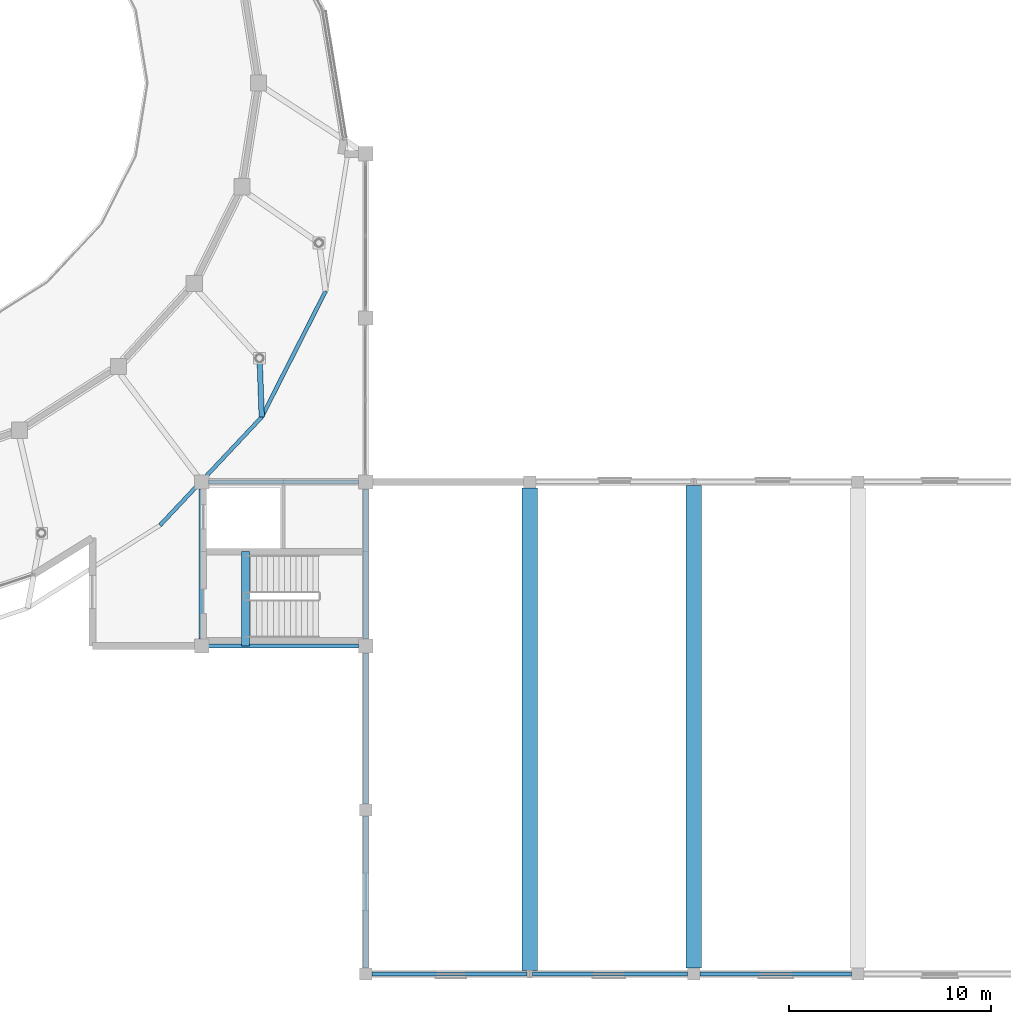
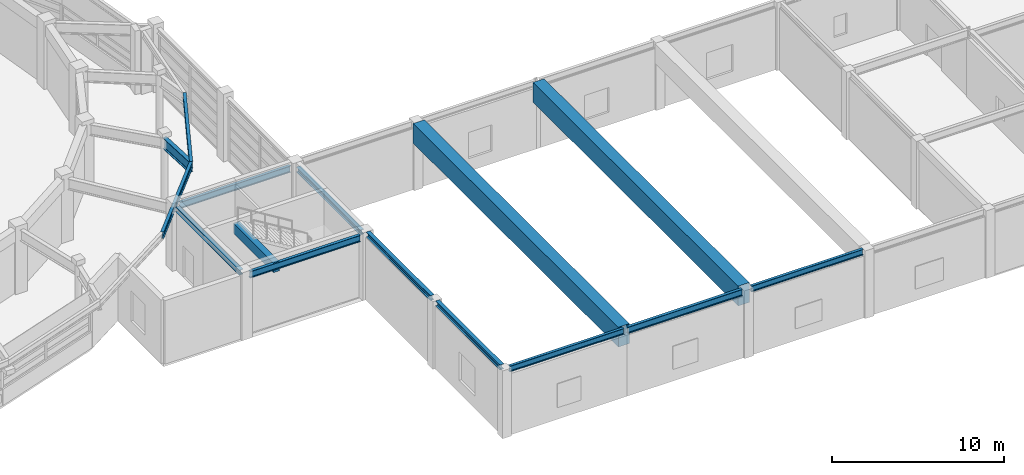
# One storey, part 19 of 58: 15 beams.
"""IFC4 building model written with IfcOpenShell, lengths in metres."""

from ifc_helpers import new_model, si_unit, direction, frame, origin, origin_2d, place, context, subcontext, project, spatial, rectangle, i_section, extrude, material, material_profile, profile_set, type_object, element, save


model = new_model("IFC4")

# Units and contexts
model_context = context("Model", 3, precision=1e-05, world=origin(), true_north=direction((0.0, 1.0)))
body_context = subcontext(model_context, "Body", "Model", "MODEL_VIEW")
ifc_project = project(units=[si_unit("LENGTHUNIT", "METRE"), si_unit("AREAUNIT", "SQUARE_METRE"), si_unit("VOLUMEUNIT", "CUBIC_METRE"), si_unit("PLANEANGLEUNIT", "RADIAN"), si_unit("MASSUNIT", "GRAM", prefix="KILO")], contexts=[model_context])

# Site, building, storey
site_placement = place(None, origin())
site = spatial("IfcSite", under=ifc_project, at=site_placement, CompositionType="ELEMENT")
building_placement = place(site_placement, origin())
building = spatial("IfcBuilding", under=site, at=building_placement, Name="Parian Resonance Hall", CompositionType="ELEMENT")
storey_placement = place(building_placement, frame((0.0, 0.0, 10.199951171875)))
storey = spatial("IfcBuildingStorey", under=building, at=storey_placement, Name="L02", CompositionType="ELEMENT", Elevation=10.199951171875)

# Beams
ifc_material_1 = material(Name="Concrete C40/50", Category="concrete")
ifc_material_profile_1 = material_profile(ifc_material_1, rectangle(XDim=0.39990234375, YDim=0.699951171875, at=origin_2d()), Name="RC-BM-400x700")
ifc_profile_set_1 = profile_set([ifc_material_profile_1], Name="Concrete C40/50")
beam_type_1 = type_object("IfcBeamType", Name="BM-RC400x700", PredefinedType="BEAM", material=ifc_profile_set_1)
beam_1_placement = place(storey_placement, frame((66.9599609375, 16.199951171875, 4.150146484375), z_axis=(0.0, 1.0, 0.0), x_axis=(-1.0, 0.0, 0.0)))
element("IfcBeam", 1, at=beam_1_placement, inside=storey, type_object=beam_type_1, Name="Core K3 stair arrival trimmer beam L02", PredefinedType="BEAM", context=body_context, shape_type="SweptSolid", body=[
    extrude(rectangle(XDim=0.39990234375, YDim=0.699951171875, at=origin_2d()), origin(), (0.0, 0.0, 1.0), 4.650146484375),
])
ifc_material_2 = material(Name="Concrete C40/50", Category="concrete")
ifc_material_profile_2 = material_profile(ifc_material_2, rectangle(XDim=0.75, YDim=1.39990234375, at=origin_2d()), Name="RC-TG-750x1400")
ifc_profile_set_2 = profile_set([ifc_material_profile_2], Name="Concrete C40/50")
beam_type_2 = type_object("IfcBeamType", Name="BM-RCTG750x1400", PredefinedType="USERDEFINED", material=ifc_profile_set_2)
for number, where, z_axis, x_axis, name in (
    (2, (81.0, 0.178466796875, 4.10009765625), (0.0, 1.0, 0.0), (-1.0, 0.0, 0.0), "Orchestra Rehearsal Room clear-span roof transfer girder 1"),
    (3, (89.10009765625, 0.300048828125, 4.10009765625), (0.0, 1.0, 0.0), (-1.0, 0.0, 0.0), "Orchestra Rehearsal Room clear-span roof transfer girder 2"),
):
    element("IfcBeam", number, at=place(storey_placement, frame(where, z_axis=z_axis, x_axis=x_axis)), inside=storey, type_object=beam_type_2, Name=name, ObjectType="GIRDER", PredefinedType="USERDEFINED", context=body_context, shape_type="SweptSolid", body=[
        extrude(rectangle(XDim=0.75, YDim=1.39990234375, at=origin_2d()), origin(), (0.0, 0.0, 1.0), 23.821533203125),
    ])
ifc_material_3 = material(Name="Steel S355", Category="steel")
ifc_material_profile_3 = material_profile(ifc_material_3, i_section(OverallWidth=0.2548828125, OverallDepth=0.35693359375, WebThickness=0.010498046875, FlangeThickness=0.018310546875, FilletRadius=0.01513671875, at=origin_2d()), Name="W360x101")
ifc_profile_set_3 = profile_set([ifc_material_profile_3], Name="Steel S355")
beam_type_3 = type_object("IfcBeamType", Name="BM-W360x101", PredefinedType="SPANDREL", material=ifc_profile_set_3)
beam_2_placement = place(storey_placement, frame((64.800048828125, 16.550048828125, 4.321533203125), z_axis=(0.0, 1.0, 0.0), x_axis=(-1.0, 0.0, 0.0)))
element("IfcBeam", 4, at=beam_2_placement, inside=storey, type_object=beam_type_3, Name="GY-L02-0757", PredefinedType="SPANDREL", context=body_context, shape_type="SweptSolid", body=[
    extrude(i_section(OverallWidth=0.2548828125, OverallDepth=0.35693359375, WebThickness=0.010498046875, FlangeThickness=0.018310546875, FilletRadius=0.01513671875, at=origin_2d()), origin(), (0.0, 0.0, 1.0), 7.39990234375),
])
beam_3_placement = place(storey_placement, frame((72.89990234375, 0.300048828125, 4.62158203125), z_axis=(0.0, 1.0, 0.0), x_axis=(-1.0, 0.0, 0.0)))
element("IfcBeam", 5, at=beam_3_placement, inside=storey, type_object=beam_type_3, Name="GY-L02-0760", PredefinedType="SPANDREL", context=body_context, shape_type="SweptSolid", body=[
    extrude(i_section(OverallWidth=0.2548828125, OverallDepth=0.35693359375, WebThickness=0.010498046875, FlangeThickness=0.018310546875, FilletRadius=0.01513671875, at=origin_2d()), origin(), (0.0, 0.0, 1.0), 7.5),
])
beam_4_placement = place(storey_placement, frame((72.89990234375, 8.39990234375, 4.62158203125), z_axis=(0.0, 1.0, 0.0), x_axis=(-1.0, 0.0, 0.0)))
element("IfcBeam", 6, at=beam_4_placement, inside=storey, type_object=beam_type_3, Name="GY-L02-0761", PredefinedType="SPANDREL", context=body_context, shape_type="SweptSolid", body=[
    extrude(i_section(OverallWidth=0.2548828125, OverallDepth=0.35693359375, WebThickness=0.010498046875, FlangeThickness=0.018310546875, FilletRadius=0.01513671875, at=origin_2d()), origin(), (0.0, 0.0, 1.0), 7.4501953125),
])
beam_5_placement = place(storey_placement, frame((72.89990234375, 16.550048828125, 4.321533203125), z_axis=(0.0, 1.0, 0.0), x_axis=(-1.0, 0.0, 0.0)))
element("IfcBeam", 7, at=beam_5_placement, inside=storey, type_object=beam_type_3, Name="GY-L02-0762", PredefinedType="SPANDREL", context=body_context, shape_type="SweptSolid", body=[
    extrude(i_section(OverallWidth=0.2548828125, OverallDepth=0.35693359375, WebThickness=0.010498046875, FlangeThickness=0.018310546875, FilletRadius=0.01513671875, at=origin_2d()), origin(), (0.0, 0.0, 1.0), 7.39990234375),
])
ifc_material_4 = material(Name="Steel S355", Category="steel")
ifc_material_profile_4 = material_profile(ifc_material_4, i_section(OverallWidth=0.180908203125, OverallDepth=0.4169921875, WebThickness=0.010986328125, FlangeThickness=0.018310546875, FilletRadius=0.01513671875, at=origin_2d()), Name="W410x85")
ifc_profile_set_4 = profile_set([ifc_material_profile_4], Name="Steel S355")
beam_type_4 = type_object("IfcBeamType", Name="BM-W410x85", PredefinedType="SPANDREL", material=ifc_profile_set_4)
beam_6_placement = place(storey_placement, frame((73.199951171875, 0.0, 4.591552734375), z_axis=(1.0, 0.0, 0.0), x_axis=(0.0, 1.0, 0.0)))
element("IfcBeam", 8, at=beam_6_placement, inside=storey, type_object=beam_type_4, Name="GX-L02-0685", PredefinedType="SPANDREL", context=body_context, shape_type="SweptSolid", body=[
    extrude(i_section(OverallWidth=0.180908203125, OverallDepth=0.4169921875, WebThickness=0.010986328125, FlangeThickness=0.018310546875, FilletRadius=0.01513671875, at=origin_2d()), origin(), (0.0, 0.0, 1.0), 7.672607421875),
])
beam_7_placement = place(storey_placement, frame((89.39990234375, 0.0, 4.591552734375), z_axis=(1.0, 0.0, 0.0), x_axis=(0.0, 1.0, 0.0)))
element("IfcBeam", 9, at=beam_7_placement, inside=storey, type_object=beam_type_4, Name="GX-L02-0695", PredefinedType="SPANDREL", context=body_context, shape_type="SweptSolid", body=[
    extrude(i_section(OverallWidth=0.180908203125, OverallDepth=0.4169921875, WebThickness=0.010986328125, FlangeThickness=0.018310546875, FilletRadius=0.01513671875, at=origin_2d()), origin(), (0.0, 0.0, 1.0), 7.5),
])
ifc_material_5 = material(Name="Steel S355", Category="steel")
ifc_material_profile_5 = material_profile(ifc_material_5, i_section(OverallWidth=0.194091796875, OverallDepth=0.468994140625, WebThickness=0.0126953125, FlangeThickness=0.0205078125, FilletRadius=0.01513671875, at=origin_2d()), Name="W460x106")
ifc_profile_set_5 = profile_set([ifc_material_profile_5], Name="Steel S355")
beam_type_5 = type_object("IfcBeamType", Name="BM-W460x106", PredefinedType="SPANDREL", material=ifc_profile_set_5)
beam_8_placement = place(storey_placement, frame((65.14990234375, 16.199951171875, 4.265625), z_axis=(1.0, 0.0, 0.0), x_axis=(0.0, 1.0, 0.0)))
element("IfcBeam", 10, at=beam_8_placement, inside=storey, type_object=beam_type_5, Name="GX-L02-0680", PredefinedType="SPANDREL", context=body_context, shape_type="SweptSolid", body=[
    extrude(i_section(OverallWidth=0.194091796875, OverallDepth=0.468994140625, WebThickness=0.0126953125, FlangeThickness=0.0205078125, FilletRadius=0.01513671875, at=origin_2d()), origin(), (0.0, 0.0, 1.0), 7.400146484375),
])
beam_9_placement = place(storey_placement, frame((81.12744140625, 0.0, 4.5654296875), z_axis=(1.0, 0.0, 0.0), x_axis=(0.0, 1.0, 0.0)))
element("IfcBeam", 11, at=beam_9_placement, inside=storey, type_object=beam_type_5, Name="GX-L02-0690", PredefinedType="SPANDREL", context=body_context, shape_type="SweptSolid", body=[
    extrude(i_section(OverallWidth=0.194091796875, OverallDepth=0.468994140625, WebThickness=0.0126953125, FlangeThickness=0.0205078125, FilletRadius=0.01513671875, at=origin_2d()), origin(), (0.0, 0.0, 1.0), 7.672607421875),
])
beam_10_placement = place(storey_placement, frame((62.74462890625, 22.156494140625, 4.265625), z_axis=(0.684825514035, 0.728707084724, 0.0), x_axis=(-0.728707084724, 0.684825514035, 0.0)))
element("IfcBeam", 12, at=beam_10_placement, inside=storey, type_object=beam_type_5, Name="Elliptical R3 perimeter spandrel beam 22", PredefinedType="SPANDREL", context=body_context, shape_type="SweptSolid", body=[
    extrude(i_section(OverallWidth=0.194091796875, OverallDepth=0.468994140625, WebThickness=0.0126953125, FlangeThickness=0.0205078125, FilletRadius=0.01513671875, at=origin_2d()), origin(), (0.0, 0.0, 1.0), 7.332763671875),
])
beam_11_placement = place(storey_placement, frame((67.766357421875, 27.5, 4.265625), z_axis=(0.452454380739, 0.891787549448, 0.0), x_axis=(-0.891787549448, 0.452454380739, 0.0)))
element("IfcBeam", 13, at=beam_11_placement, inside=storey, type_object=beam_type_5, Name="Elliptical R3 perimeter spandrel beam 23", PredefinedType="SPANDREL", context=body_context, shape_type="SweptSolid", body=[
    extrude(i_section(OverallWidth=0.194091796875, OverallDepth=0.468994140625, WebThickness=0.0126953125, FlangeThickness=0.0205078125, FilletRadius=0.01513671875, at=origin_2d()), origin(), (0.0, 0.0, 1.0), 6.9775390625),
])
ifc_material_6 = material(Name="Steel S355", Category="steel")
ifc_material_profile_6 = material_profile(ifc_material_6, i_section(OverallWidth=0.19091796875, OverallDepth=0.4599609375, WebThickness=0.010009765625, FlangeThickness=0.01611328125, FilletRadius=0.01513671875, at=origin_2d()), Name="W460x82")
ifc_profile_set_6 = profile_set([ifc_material_profile_6], Name="Steel S355")
beam_type_6 = type_object("IfcBeamType", Name="BM-W460x82", PredefinedType="BEAM", material=ifc_profile_set_6)
beam_12_placement = place(storey_placement, frame((65.14990234375, 24.300048828125, 4.27001953125), z_axis=(1.0, 0.0, 0.0), x_axis=(0.0, 1.0, 0.0)))
element("IfcBeam", 14, at=beam_12_placement, inside=storey, type_object=beam_type_6, Name="GX-L02-0681", PredefinedType="BEAM", context=body_context, shape_type="SweptSolid", body=[
    extrude(i_section(OverallWidth=0.19091796875, OverallDepth=0.4599609375, WebThickness=0.010009765625, FlangeThickness=0.01611328125, FilletRadius=0.01513671875, at=origin_2d()), origin(), (0.0, 0.0, 1.0), 7.400146484375),
])
ifc_material_7 = material(Name="Steel S355", Category="steel")
ifc_material_profile_7 = material_profile(ifc_material_7, i_section(OverallWidth=0.26806640625, OverallDepth=0.77001953125, WebThickness=0.015625, FlangeThickness=0.025390625, FilletRadius=0.020263671875, at=origin_2d()), Name="W760x196")
ifc_profile_set_7 = profile_set([ifc_material_profile_7], Name="Steel S355")
beam_type_7 = type_object("IfcBeamType", Name="CG3 W760x196", PredefinedType="USERDEFINED", material=ifc_profile_set_7)
beam_13_placement = place(storey_placement, frame((67.6611328125, 30.39990234375, 4.114990234375), z_axis=(0.036261705961, -0.999342328074, 0.0), x_axis=(0.999342328074, 0.036261705961, 0.0)))
element("IfcBeam", 15, at=beam_13_placement, inside=storey, type_object=beam_type_7, Name="Radial ring cantilever girder R3-23", ObjectType="GIRDER", PredefinedType="USERDEFINED", context=body_context, shape_type="SweptSolid", body=[
    extrude(i_section(OverallWidth=0.26806640625, OverallDepth=0.77001953125, WebThickness=0.015625, FlangeThickness=0.025390625, FilletRadius=0.020263671875, at=origin_2d()), origin(), (0.0, 0.0, 1.0), 2.90185546875),
])

save(model, "model.ifc")
